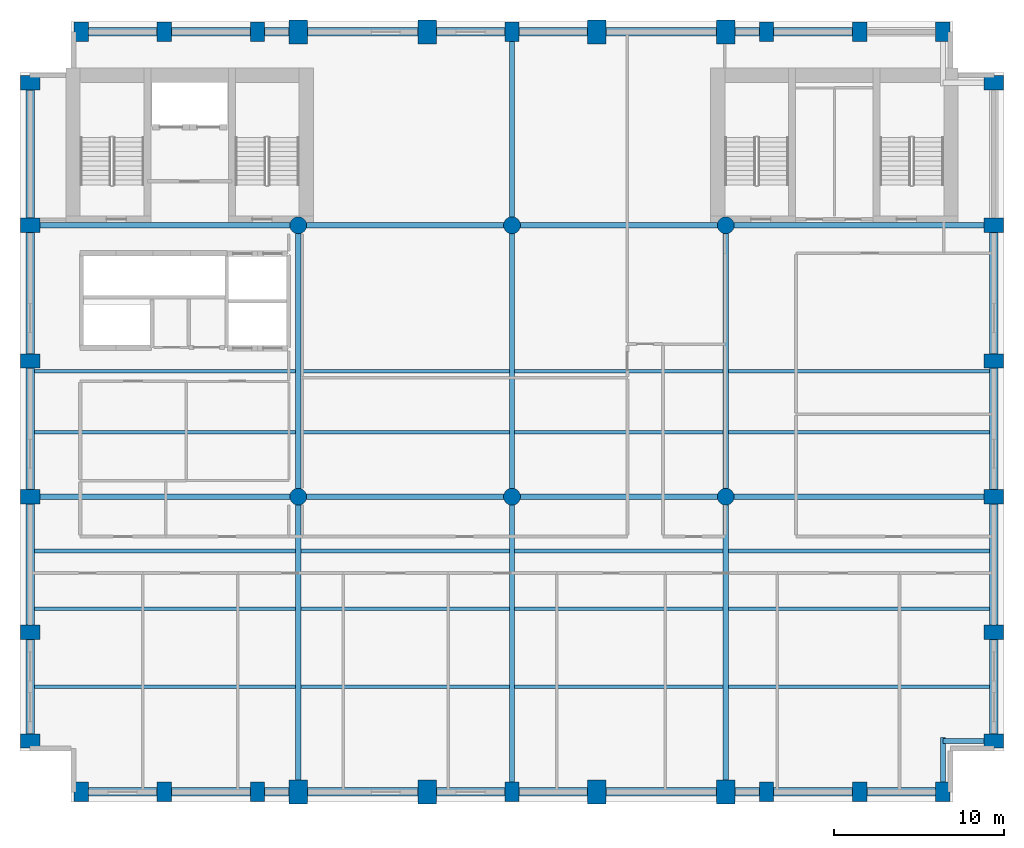
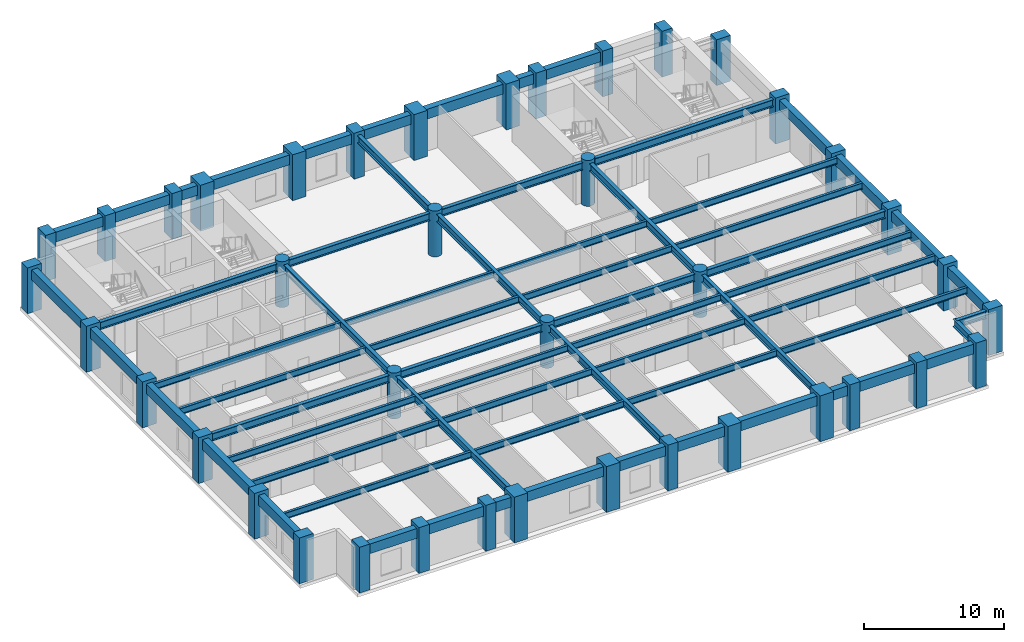
# One storey, part 1 of 8: 65 beams, 40 columns.
"""IFC4 building model written with IfcOpenShell, lengths in metres."""

from ifc_helpers import new_model, si_unit, direction, frame, origin, origin_2d, place, context, subcontext, project, spatial, rectangle, circle, i_section, extrude, material, material_profile, profile_set, type_object, element, save


model = new_model("IFC4")

# Units and contexts
model_context = context("Model", 3, precision=1e-05, world=origin(), true_north=direction((0.0, 1.0)))
body_context = subcontext(model_context, "Body", "Model", "MODEL_VIEW")
ifc_project = project(units=[si_unit("LENGTHUNIT", "METRE"), si_unit("AREAUNIT", "SQUARE_METRE"), si_unit("VOLUMEUNIT", "CUBIC_METRE"), si_unit("PLANEANGLEUNIT", "RADIAN"), si_unit("MASSUNIT", "GRAM", prefix="KILO")], contexts=[model_context])

# Site, building, storey
site_placement = place(None, origin())
site = spatial("IfcSite", under=ifc_project, at=site_placement, CompositionType="ELEMENT")
building_placement = place(site_placement, origin())
building = spatial("IfcBuilding", under=site, at=building_placement, Name="Sulina Concourse Tower", CompositionType="ELEMENT")
storey_placement = place(building_placement, frame((0.0, 0.0, 152.60009765625)))
storey = spatial("IfcBuildingStorey", under=building, at=storey_placement, Name="L37", CompositionType="ELEMENT", Elevation=152.60009765625)

# Columns
ifc_material_1 = material(Name="Concrete C60/75", Category="concrete")
ifc_material_profile_1 = material_profile(ifc_material_1, circle(Radius=0.5, at=origin_2d()), Name="RC D1000")
ifc_profile_set_1 = profile_set([ifc_material_profile_1], Name="Concrete C60/75")
column_type_1 = type_object("IfcColumnType", Name="Lower Interior Circular Column D1000", PredefinedType="COLUMN", material=ifc_profile_set_1)
for number, where, z_axis, x_axis, name in (
    (1, (16.39990234375, 18.0, 0.0), (0.0, 0.0, 1.0), (1.0, 0.0, 0.0), "L37 structural column IC-M-164"),
    (2, (16.39990234375, 34.0, 0.0), (0.0, 0.0, 1.0), (1.0, 0.0, 0.0), "L37 structural column IC-N-164"),
    (3, (29.0, 18.0, 0.0), (0.0, 0.0, 1.0), (1.0, 0.0, 0.0), "L37 structural column IC-M-290"),
    (4, (29.0, 34.0, 0.0), (0.0, 0.0, 1.0), (1.0, 0.0, 0.0), "L37 structural column IC-N-290"),
    (5, (41.60009765625, 18.0, 0.0), (0.0, 0.0, 1.0), (1.0, 0.0, 0.0), "L37 structural column IC-M-416"),
    (6, (41.60009765625, 34.0, 0.0), (0.0, 0.0, 1.0), (1.0, 0.0, 0.0), "L37 structural column IC-N-416"),
):
    element("IfcColumn", number, at=place(storey_placement, frame(where, z_axis=z_axis, x_axis=x_axis)), inside=storey, type_object=column_type_1, Name=name, PredefinedType="COLUMN", context=body_context, shape_type="SweptSolid", body=[
        extrude(circle(Radius=0.5, at=origin_2d()), origin(), (0.0, 0.0, 1.0), 4.0),
    ])
ifc_material_2 = material(Name="Concrete C60/75", Category="concrete")
ifc_material_profile_2 = material_profile(ifc_material_2, rectangle(XDim=1.10009765625, YDim=1.39990234375, at=origin_2d()), Name="RC 1100x1400")
ifc_profile_set_2 = profile_set([ifc_material_profile_2], Name="Concrete C60/75")
column_type_2 = type_object("IfcColumnType", Name="Mid-Rise Portal Column 1100x1400", PredefinedType="COLUMN", material=ifc_profile_set_2)
for number, where, z_axis, x_axis, name in (
    (7, (16.39990234375, 0.60009765625, 0.0), (0.0, 0.0, 1.0), (1.0, 0.0, 0.0), "L37 structural column TP-S-164"),
    (8, (16.39990234375, 45.39990234375, 0.0), (0.0, 0.0, 1.0), (1.0, 0.0, 0.0), "L37 structural column TP-N-164"),
    (9, (24.0, 0.60009765625, 0.0), (0.0, 0.0, 1.0), (1.0, 0.0, 0.0), "L37 structural column TP-S-240"),
    (10, (24.0, 45.39990234375, 0.0), (0.0, 0.0, 1.0), (1.0, 0.0, 0.0), "L37 structural column TP-N-240"),
    (11, (34.0, 0.60009765625, 0.0), (0.0, 0.0, 1.0), (1.0, 0.0, 0.0), "L37 structural column TP-S-340"),
    (12, (34.0, 45.39990234375, 0.0), (0.0, 0.0, 1.0), (1.0, 0.0, 0.0), "L37 structural column TP-N-340"),
    (13, (41.60009765625, 0.60009765625, 0.0), (0.0, 0.0, 1.0), (1.0, 0.0, 0.0), "L37 structural column TP-S-416"),
    (14, (41.60009765625, 45.39990234375, 0.0), (0.0, 0.0, 1.0), (1.0, 0.0, 0.0), "L37 structural column TP-N-416"),
):
    element("IfcColumn", number, at=place(storey_placement, frame(where, z_axis=z_axis, x_axis=x_axis)), inside=storey, type_object=column_type_2, Name=name, PredefinedType="COLUMN", context=body_context, shape_type="SweptSolid", body=[
        extrude(rectangle(XDim=1.10009765625, YDim=1.39990234375, at=origin_2d()), origin(), (0.0, 0.0, 1.0), 4.0),
    ])
ifc_material_3 = material(Name="Precast concrete C60/75", Category="concrete")
ifc_material_profile_3 = material_profile(ifc_material_3, rectangle(XDim=0.85009765625, YDim=1.14990234375, at=origin_2d()), Name="PC 850x1150")
ifc_profile_set_3 = profile_set([ifc_material_profile_3], Name="Precast concrete C60/75")
column_type_3 = type_object("IfcColumnType", Name="Precast Tube Pier Zone 2 850x1150", PredefinedType="COLUMN", material=ifc_profile_set_3)
for number, where, z_axis, x_axis, name in (
    (15, (3.60009765625, 0.60009765625, 0.0), (0.0, 0.0, 1.0), (1.0, 0.0, 0.0), "L37 structural column TP-S-36"),
    (16, (3.60009765625, 45.39990234375, 0.0), (0.0, 0.0, 1.0), (1.0, 0.0, 0.0), "L37 structural column TP-N-36"),
    (17, (8.5, 0.60009765625, 0.0), (0.0, 0.0, 1.0), (1.0, 0.0, 0.0), "L37 structural column TP-S-85"),
    (18, (8.5, 45.39990234375, 0.0), (0.0, 0.0, 1.0), (1.0, 0.0, 0.0), "L37 structural column TP-N-85"),
    (19, (14.0, 0.60009765625, 0.0), (0.0, 0.0, 1.0), (1.0, 0.0, 0.0), "L37 structural column TP-S-140"),
    (20, (14.0, 45.39990234375, 0.0), (0.0, 0.0, 1.0), (1.0, 0.0, 0.0), "L37 structural column TP-N-140"),
    (21, (29.0, 0.60009765625, 0.0), (0.0, 0.0, 1.0), (1.0, 0.0, 0.0), "L37 structural column TP-S-290"),
    (22, (29.0, 45.39990234375, 0.0), (0.0, 0.0, 1.0), (1.0, 0.0, 0.0), "L37 structural column TP-N-290"),
    (23, (44.0, 0.60009765625, 0.0), (0.0, 0.0, 1.0), (1.0, 0.0, 0.0), "L37 structural column TP-S-440"),
    (24, (44.0, 45.39990234375, 0.0), (0.0, 0.0, 1.0), (1.0, 0.0, 0.0), "L37 structural column TP-N-440"),
    (25, (49.5, 0.60009765625, 0.0), (0.0, 0.0, 1.0), (1.0, 0.0, 0.0), "L37 structural column TP-S-495"),
    (26, (49.5, 45.39990234375, 0.0), (0.0, 0.0, 1.0), (1.0, 0.0, 0.0), "L37 structural column TP-N-495"),
    (27, (54.39990234375, 0.60009765625, 0.0), (0.0, 0.0, 1.0), (1.0, 0.0, 0.0), "L37 structural column TP-S-544"),
    (28, (54.39990234375, 45.39990234375, 0.0), (0.0, 0.0, 1.0), (1.0, 0.0, 0.0), "L37 structural column TP-N-544"),
    (29, (0.60009765625, 3.60009765625, 0.0), (0.0, 0.0, 1.0), (0.0, 1.0, 0.0), "L37 structural column TP-W-36"),
    (30, (57.39990234375, 3.60009765625, 0.0), (0.0, 0.0, 1.0), (0.0, 1.0, 0.0), "L37 structural column TP-E-36"),
    (31, (0.60009765625, 10.0, 0.0), (0.0, 0.0, 1.0), (0.0, 1.0, 0.0), "L37 structural column TP-W-100"),
    (32, (57.39990234375, 10.0, 0.0), (0.0, 0.0, 1.0), (0.0, 1.0, 0.0), "L37 structural column TP-E-100"),
    (33, (0.60009765625, 18.0, 0.0), (0.0, 0.0, 1.0), (0.0, 1.0, 0.0), "L37 structural column TP-W-180"),
    (34, (57.39990234375, 18.0, 0.0), (0.0, 0.0, 1.0), (0.0, 1.0, 0.0), "L37 structural column TP-E-180"),
    (35, (0.60009765625, 26.0, 0.0), (0.0, 0.0, 1.0), (0.0, 1.0, 0.0), "L37 structural column TP-W-260"),
    (36, (57.39990234375, 26.0, 0.0), (0.0, 0.0, 1.0), (0.0, 1.0, 0.0), "L37 structural column TP-E-260"),
    (37, (0.60009765625, 34.0, 0.0), (0.0, 0.0, 1.0), (0.0, 1.0, 0.0), "L37 structural column TP-W-340"),
    (38, (57.39990234375, 34.0, 0.0), (0.0, 0.0, 1.0), (0.0, 1.0, 0.0), "L37 structural column TP-E-340"),
    (39, (0.60009765625, 42.39990234375, 0.0), (0.0, 0.0, 1.0), (0.0, 1.0, 0.0), "L37 structural column TP-W-424"),
    (40, (57.39990234375, 42.39990234375, 0.0), (0.0, 0.0, 1.0), (0.0, 1.0, 0.0), "L37 structural column TP-E-424"),
):
    element("IfcColumn", number, at=place(storey_placement, frame(where, z_axis=z_axis, x_axis=x_axis)), inside=storey, type_object=column_type_3, Name=name, PredefinedType="COLUMN", context=body_context, shape_type="SweptSolid", body=[
        extrude(rectangle(XDim=0.85009765625, YDim=1.14990234375, at=origin_2d()), origin(), (0.0, 0.0, 1.0), 4.0),
    ])

# Beams
ifc_material_4 = material(Name="Steel S355", Category="steel")
ifc_material_profile_4 = material_profile(ifc_material_4, i_section(OverallWidth=0.2099609375, OverallDepth=0.550048828125, WebThickness=0.010986328125, FlangeThickness=0.01708984375, at=origin_2d()), Name="IPE 550")
ifc_profile_set_4 = profile_set([ifc_material_profile_4], Name="Steel S355")
beam_type_1 = type_object("IfcBeamType", Name="Composite Floor Joist IPE550", PredefinedType="JOIST", material=ifc_profile_set_4)
beam_1_placement = place(storey_placement, frame((0.85009765625, 6.800048828125, 3.449951171875), z_axis=(1.0, 0.0, 0.0), x_axis=(0.0, 1.0, 0.0)))
element("IfcBeam", 41, at=beam_1_placement, inside=storey, type_object=beam_type_1, Name="FJ-J06-1-L37", PredefinedType="JOIST", context=body_context, shape_type="SweptSolid", body=[
    extrude(i_section(OverallWidth=0.2099609375, OverallDepth=0.550048828125, WebThickness=0.010986328125, FlangeThickness=0.01708984375, at=origin_2d()), origin(), (0.0, 0.0, 1.0), 15.39990234375),
])
for number, where, z_axis, x_axis, name in (
    (42, (16.550048828125, 6.800048828125, 3.449951171875), (1.0, 0.0, 0.0), (0.0, 1.0, 0.0), "FJ-J06-2-L37"),
    (43, (29.14990234375, 6.800048828125, 3.449951171875), (1.0, 0.0, 0.0), (0.0, 1.0, 0.0), "FJ-J06-3-L37"),
):
    element("IfcBeam", number, at=place(storey_placement, frame(where, z_axis=z_axis, x_axis=x_axis)), inside=storey, type_object=beam_type_1, Name=name, PredefinedType="JOIST", context=body_context, shape_type="SweptSolid", body=[
        extrude(i_section(OverallWidth=0.2099609375, OverallDepth=0.550048828125, WebThickness=0.010986328125, FlangeThickness=0.01708984375, at=origin_2d()), origin(), (0.0, 0.0, 1.0), 12.300048828125),
    ])
for number, where, z_axis, x_axis, name in (
    (44, (41.75, 6.800048828125, 3.449951171875), (1.0, 0.0, 0.0), (0.0, 1.0, 0.0), "FJ-J06-4-L37"),
    (45, (0.85009765625, 11.39990234375, 3.449951171875), (1.0, 0.0, 0.0), (0.0, 1.0, 0.0), "FJ-J11-1-L37"),
):
    element("IfcBeam", number, at=place(storey_placement, frame(where, z_axis=z_axis, x_axis=x_axis)), inside=storey, type_object=beam_type_1, Name=name, PredefinedType="JOIST", context=body_context, shape_type="SweptSolid", body=[
        extrude(i_section(OverallWidth=0.2099609375, OverallDepth=0.550048828125, WebThickness=0.010986328125, FlangeThickness=0.01708984375, at=origin_2d()), origin(), (0.0, 0.0, 1.0), 15.39990234375),
    ])
for number, where, z_axis, x_axis, name in (
    (46, (16.550048828125, 11.39990234375, 3.449951171875), (1.0, 0.0, 0.0), (0.0, 1.0, 0.0), "FJ-J11-2-L37"),
    (47, (29.14990234375, 11.39990234375, 3.449951171875), (1.0, 0.0, 0.0), (0.0, 1.0, 0.0), "FJ-J11-3-L37"),
):
    element("IfcBeam", number, at=place(storey_placement, frame(where, z_axis=z_axis, x_axis=x_axis)), inside=storey, type_object=beam_type_1, Name=name, PredefinedType="JOIST", context=body_context, shape_type="SweptSolid", body=[
        extrude(i_section(OverallWidth=0.2099609375, OverallDepth=0.550048828125, WebThickness=0.010986328125, FlangeThickness=0.01708984375, at=origin_2d()), origin(), (0.0, 0.0, 1.0), 12.300048828125),
    ])
for number, where, z_axis, x_axis, name in (
    (48, (41.75, 11.39990234375, 3.449951171875), (1.0, 0.0, 0.0), (0.0, 1.0, 0.0), "FJ-J11-4-L37"),
    (49, (0.85009765625, 14.800048828125, 3.449951171875), (1.0, 0.0, 0.0), (0.0, 1.0, 0.0), "FJ-J15-1-L37"),
):
    element("IfcBeam", number, at=place(storey_placement, frame(where, z_axis=z_axis, x_axis=x_axis)), inside=storey, type_object=beam_type_1, Name=name, PredefinedType="JOIST", context=body_context, shape_type="SweptSolid", body=[
        extrude(i_section(OverallWidth=0.2099609375, OverallDepth=0.550048828125, WebThickness=0.010986328125, FlangeThickness=0.01708984375, at=origin_2d()), origin(), (0.0, 0.0, 1.0), 15.39990234375),
    ])
for number, where, z_axis, x_axis, name in (
    (50, (16.550048828125, 14.800048828125, 3.449951171875), (1.0, 0.0, 0.0), (0.0, 1.0, 0.0), "FJ-J15-2-L37"),
    (51, (29.14990234375, 14.800048828125, 3.449951171875), (1.0, 0.0, 0.0), (0.0, 1.0, 0.0), "FJ-J15-3-L37"),
):
    element("IfcBeam", number, at=place(storey_placement, frame(where, z_axis=z_axis, x_axis=x_axis)), inside=storey, type_object=beam_type_1, Name=name, PredefinedType="JOIST", context=body_context, shape_type="SweptSolid", body=[
        extrude(i_section(OverallWidth=0.2099609375, OverallDepth=0.550048828125, WebThickness=0.010986328125, FlangeThickness=0.01708984375, at=origin_2d()), origin(), (0.0, 0.0, 1.0), 12.300048828125),
    ])
for number, where, z_axis, x_axis, name in (
    (52, (41.75, 14.800048828125, 3.449951171875), (1.0, 0.0, 0.0), (0.0, 1.0, 0.0), "FJ-J15-4-L37"),
    (53, (0.85009765625, 21.800048828125, 3.449951171875), (1.0, 0.0, 0.0), (0.0, 1.0, 0.0), "FJ-J22-1-L37"),
):
    element("IfcBeam", number, at=place(storey_placement, frame(where, z_axis=z_axis, x_axis=x_axis)), inside=storey, type_object=beam_type_1, Name=name, PredefinedType="JOIST", context=body_context, shape_type="SweptSolid", body=[
        extrude(i_section(OverallWidth=0.2099609375, OverallDepth=0.550048828125, WebThickness=0.010986328125, FlangeThickness=0.01708984375, at=origin_2d()), origin(), (0.0, 0.0, 1.0), 15.39990234375),
    ])
for number, where, z_axis, x_axis, name in (
    (54, (16.550048828125, 21.800048828125, 3.449951171875), (1.0, 0.0, 0.0), (0.0, 1.0, 0.0), "FJ-J22-2-L37"),
    (55, (29.14990234375, 21.800048828125, 3.449951171875), (1.0, 0.0, 0.0), (0.0, 1.0, 0.0), "FJ-J22-3-L37"),
):
    element("IfcBeam", number, at=place(storey_placement, frame(where, z_axis=z_axis, x_axis=x_axis)), inside=storey, type_object=beam_type_1, Name=name, PredefinedType="JOIST", context=body_context, shape_type="SweptSolid", body=[
        extrude(i_section(OverallWidth=0.2099609375, OverallDepth=0.550048828125, WebThickness=0.010986328125, FlangeThickness=0.01708984375, at=origin_2d()), origin(), (0.0, 0.0, 1.0), 12.300048828125),
    ])
for number, where, z_axis, x_axis, name in (
    (56, (41.75, 21.800048828125, 3.449951171875), (1.0, 0.0, 0.0), (0.0, 1.0, 0.0), "FJ-J22-4-L37"),
    (57, (0.85009765625, 25.39990234375, 3.449951171875), (1.0, 0.0, 0.0), (0.0, 1.0, 0.0), "FJ-J25-1-L37"),
):
    element("IfcBeam", number, at=place(storey_placement, frame(where, z_axis=z_axis, x_axis=x_axis)), inside=storey, type_object=beam_type_1, Name=name, PredefinedType="JOIST", context=body_context, shape_type="SweptSolid", body=[
        extrude(i_section(OverallWidth=0.2099609375, OverallDepth=0.550048828125, WebThickness=0.010986328125, FlangeThickness=0.01708984375, at=origin_2d()), origin(), (0.0, 0.0, 1.0), 15.39990234375),
    ])
for number, where, z_axis, x_axis, name in (
    (58, (16.550048828125, 25.39990234375, 3.449951171875), (1.0, 0.0, 0.0), (0.0, 1.0, 0.0), "FJ-J25-2-L37"),
    (59, (29.14990234375, 25.39990234375, 3.449951171875), (1.0, 0.0, 0.0), (0.0, 1.0, 0.0), "FJ-J25-3-L37"),
):
    element("IfcBeam", number, at=place(storey_placement, frame(where, z_axis=z_axis, x_axis=x_axis)), inside=storey, type_object=beam_type_1, Name=name, PredefinedType="JOIST", context=body_context, shape_type="SweptSolid", body=[
        extrude(i_section(OverallWidth=0.2099609375, OverallDepth=0.550048828125, WebThickness=0.010986328125, FlangeThickness=0.01708984375, at=origin_2d()), origin(), (0.0, 0.0, 1.0), 12.300048828125),
    ])
beam_2_placement = place(storey_placement, frame((41.75, 25.39990234375, 3.449951171875), z_axis=(1.0, 0.0, 0.0), x_axis=(0.0, 1.0, 0.0)))
element("IfcBeam", 60, at=beam_2_placement, inside=storey, type_object=beam_type_1, Name="FJ-J25-4-L37", PredefinedType="JOIST", context=body_context, shape_type="SweptSolid", body=[
    extrude(i_section(OverallWidth=0.2099609375, OverallDepth=0.550048828125, WebThickness=0.010986328125, FlangeThickness=0.01708984375, at=origin_2d()), origin(), (0.0, 0.0, 1.0), 15.39990234375),
])
ifc_material_5 = material(Name="Steel S355", Category="steel")
ifc_material_profile_5 = material_profile(ifc_material_5, i_section(OverallWidth=0.300048828125, OverallDepth=0.64990234375, WebThickness=0.01611328125, FlangeThickness=0.031005859375, at=origin_2d()), Name="HE 650 B")
ifc_profile_set_5 = profile_set([ifc_material_profile_5], Name="Steel S355")
beam_type_2 = type_object("IfcBeamType", Name="Floor Primary Girder Zone 2 HE650B", PredefinedType="BEAM", material=ifc_profile_set_5)
beam_3_placement = place(storey_placement, frame((54.39990234375, 3.60009765625, 3.39990234375), z_axis=(1.0, 0.0, 0.0), x_axis=(0.0, 1.0, 0.0)))
element("IfcBeam", 61, at=beam_3_placement, inside=storey, type_object=beam_type_2, Name="TIE-SE-L37", PredefinedType="BEAM", context=body_context, shape_type="SweptSolid", body=[
    extrude(i_section(OverallWidth=0.300048828125, OverallDepth=0.64990234375, WebThickness=0.01611328125, FlangeThickness=0.031005859375, at=origin_2d()), origin(), (0.0, 0.0, 1.0), 2.59521484375),
])
beam_4_placement = place(storey_placement, frame((54.39990234375, 1.0048828125, 3.39990234375), z_axis=(0.0, 1.0, 0.0), x_axis=(-1.0, 0.0, 0.0)))
element("IfcBeam", 62, at=beam_4_placement, inside=storey, type_object=beam_type_2, Name="TIE-SES-L37", PredefinedType="BEAM", context=body_context, shape_type="SweptSolid", body=[
    extrude(i_section(OverallWidth=0.300048828125, OverallDepth=0.64990234375, WebThickness=0.01611328125, FlangeThickness=0.031005859375, at=origin_2d()), origin(), (0.0, 0.0, 1.0), 2.795166015625),
])
beam_5_placement = place(storey_placement, frame((1.0048828125, 18.0, 3.39990234375), z_axis=(1.0, 0.0, 0.0), x_axis=(0.0, 1.0, 0.0)))
element("IfcBeam", 63, at=beam_5_placement, inside=storey, type_object=beam_type_2, Name="FG-EW1-L37", PredefinedType="BEAM", context=body_context, shape_type="SweptSolid", body=[
    extrude(i_section(OverallWidth=0.300048828125, OverallDepth=0.64990234375, WebThickness=0.01611328125, FlangeThickness=0.031005859375, at=origin_2d()), origin(), (0.0, 0.0, 1.0), 14.9150390625),
])
for number, where, z_axis, x_axis, name in (
    (64, (16.8798828125, 18.0, 3.39990234375), (1.0, 0.0, 0.0), (0.0, 1.0, 0.0), "FG-EW2-L37"),
    (65, (29.47998046875, 18.0, 3.39990234375), (1.0, 0.0, 0.0), (0.0, 1.0, 0.0), "FG-EW3-L37"),
):
    element("IfcBeam", number, at=place(storey_placement, frame(where, z_axis=z_axis, x_axis=x_axis)), inside=storey, type_object=beam_type_2, Name=name, PredefinedType="BEAM", context=body_context, shape_type="SweptSolid", body=[
        extrude(i_section(OverallWidth=0.300048828125, OverallDepth=0.64990234375, WebThickness=0.01611328125, FlangeThickness=0.031005859375, at=origin_2d()), origin(), (0.0, 0.0, 1.0), 11.64013671875),
    ])
for number, where, z_axis, x_axis, name in (
    (66, (42.080078125, 18.0, 3.39990234375), (1.0, 0.0, 0.0), (0.0, 1.0, 0.0), "FG-EW4-L37"),
    (67, (1.0048828125, 34.0, 3.39990234375), (1.0, 0.0, 0.0), (0.0, 1.0, 0.0), "FG-EWN1-L37"),
):
    element("IfcBeam", number, at=place(storey_placement, frame(where, z_axis=z_axis, x_axis=x_axis)), inside=storey, type_object=beam_type_2, Name=name, PredefinedType="BEAM", context=body_context, shape_type="SweptSolid", body=[
        extrude(i_section(OverallWidth=0.300048828125, OverallDepth=0.64990234375, WebThickness=0.01611328125, FlangeThickness=0.031005859375, at=origin_2d()), origin(), (0.0, 0.0, 1.0), 14.9150390625),
    ])
for number, where, z_axis, x_axis, name in (
    (68, (16.8798828125, 34.0, 3.39990234375), (1.0, 0.0, 0.0), (0.0, 1.0, 0.0), "FG-EWN2-L37"),
    (69, (29.47998046875, 34.0, 3.39990234375), (1.0, 0.0, 0.0), (0.0, 1.0, 0.0), "FG-EWN3-L37"),
):
    element("IfcBeam", number, at=place(storey_placement, frame(where, z_axis=z_axis, x_axis=x_axis)), inside=storey, type_object=beam_type_2, Name=name, PredefinedType="BEAM", context=body_context, shape_type="SweptSolid", body=[
        extrude(i_section(OverallWidth=0.300048828125, OverallDepth=0.64990234375, WebThickness=0.01611328125, FlangeThickness=0.031005859375, at=origin_2d()), origin(), (0.0, 0.0, 1.0), 11.64013671875),
    ])
beam_6_placement = place(storey_placement, frame((42.080078125, 34.0, 3.39990234375), z_axis=(1.0, 0.0, 0.0), x_axis=(0.0, 1.0, 0.0)))
element("IfcBeam", 70, at=beam_6_placement, inside=storey, type_object=beam_type_2, Name="FG-EWN4-L37", PredefinedType="BEAM", context=body_context, shape_type="SweptSolid", body=[
    extrude(i_section(OverallWidth=0.300048828125, OverallDepth=0.64990234375, WebThickness=0.01611328125, FlangeThickness=0.031005859375, at=origin_2d()), origin(), (0.0, 0.0, 1.0), 14.9150390625),
])
beam_7_placement = place(storey_placement, frame((16.39990234375, 1.1298828125, 3.39990234375), z_axis=(0.0, 1.0, 0.0), x_axis=(-1.0, 0.0, 0.0)))
element("IfcBeam", 71, at=beam_7_placement, inside=storey, type_object=beam_type_2, Name="FG-NSA-16-L37", PredefinedType="BEAM", context=body_context, shape_type="SweptSolid", body=[
    extrude(i_section(OverallWidth=0.300048828125, OverallDepth=0.64990234375, WebThickness=0.01611328125, FlangeThickness=0.031005859375, at=origin_2d()), origin(), (0.0, 0.0, 1.0), 16.39013671875),
])
beam_8_placement = place(storey_placement, frame((16.39990234375, 18.47998046875, 3.39990234375), z_axis=(0.0, 1.0, 0.0), x_axis=(-1.0, 0.0, 0.0)))
element("IfcBeam", 72, at=beam_8_placement, inside=storey, type_object=beam_type_2, Name="FG-NSB-16-L37", PredefinedType="BEAM", context=body_context, shape_type="SweptSolid", body=[
    extrude(i_section(OverallWidth=0.300048828125, OverallDepth=0.64990234375, WebThickness=0.01611328125, FlangeThickness=0.031005859375, at=origin_2d()), origin(), (0.0, 0.0, 1.0), 15.0400390625),
])
beam_9_placement = place(storey_placement, frame((29.0, 1.0048828125, 3.39990234375), z_axis=(0.0, 1.0, 0.0), x_axis=(-1.0, 0.0, 0.0)))
element("IfcBeam", 73, at=beam_9_placement, inside=storey, type_object=beam_type_2, Name="FG-NSA-29-L37", PredefinedType="BEAM", context=body_context, shape_type="SweptSolid", body=[
    extrude(i_section(OverallWidth=0.300048828125, OverallDepth=0.64990234375, WebThickness=0.01611328125, FlangeThickness=0.031005859375, at=origin_2d()), origin(), (0.0, 0.0, 1.0), 16.51513671875),
])
beam_10_placement = place(storey_placement, frame((29.0, 18.47998046875, 3.39990234375), z_axis=(0.0, 1.0, 0.0), x_axis=(-1.0, 0.0, 0.0)))
element("IfcBeam", 74, at=beam_10_placement, inside=storey, type_object=beam_type_2, Name="FG-NSB-29-L37", PredefinedType="BEAM", context=body_context, shape_type="SweptSolid", body=[
    extrude(i_section(OverallWidth=0.300048828125, OverallDepth=0.64990234375, WebThickness=0.01611328125, FlangeThickness=0.031005859375, at=origin_2d()), origin(), (0.0, 0.0, 1.0), 15.0400390625),
])
beam_11_placement = place(storey_placement, frame((29.0, 34.47998046875, 3.39990234375), z_axis=(0.0, 1.0, 0.0), x_axis=(-1.0, 0.0, 0.0)))
element("IfcBeam", 75, at=beam_11_placement, inside=storey, type_object=beam_type_2, Name="FG-NSC-29-L37", PredefinedType="BEAM", context=body_context, shape_type="SweptSolid", body=[
    extrude(i_section(OverallWidth=0.300048828125, OverallDepth=0.64990234375, WebThickness=0.01611328125, FlangeThickness=0.031005859375, at=origin_2d()), origin(), (0.0, 0.0, 1.0), 10.51513671875),
])
beam_12_placement = place(storey_placement, frame((41.60009765625, 1.1298828125, 3.39990234375), z_axis=(0.0, 1.0, 0.0), x_axis=(-1.0, 0.0, 0.0)))
element("IfcBeam", 76, at=beam_12_placement, inside=storey, type_object=beam_type_2, Name="FG-NSA-41-L37", PredefinedType="BEAM", context=body_context, shape_type="SweptSolid", body=[
    extrude(i_section(OverallWidth=0.300048828125, OverallDepth=0.64990234375, WebThickness=0.01611328125, FlangeThickness=0.031005859375, at=origin_2d()), origin(), (0.0, 0.0, 1.0), 16.39013671875),
])
beam_13_placement = place(storey_placement, frame((41.60009765625, 18.47998046875, 3.39990234375), z_axis=(0.0, 1.0, 0.0), x_axis=(-1.0, 0.0, 0.0)))
element("IfcBeam", 77, at=beam_13_placement, inside=storey, type_object=beam_type_2, Name="FG-NSB-41-L37", PredefinedType="BEAM", context=body_context, shape_type="SweptSolid", body=[
    extrude(i_section(OverallWidth=0.300048828125, OverallDepth=0.64990234375, WebThickness=0.01611328125, FlangeThickness=0.031005859375, at=origin_2d()), origin(), (0.0, 0.0, 1.0), 15.0400390625),
])
ifc_material_6 = material(Name="Precast concrete C50/60", Category="concrete")
ifc_material_profile_6 = material_profile(ifc_material_6, rectangle(XDim=0.5, YDim=0.85009765625, at=origin_2d()), Name="RC 500x850")
ifc_profile_set_6 = profile_set([ifc_material_profile_6], Name="Precast concrete C50/60")
beam_type_3 = type_object("IfcBeamType", Name="Lower Precast Spandrel Edge Beam 500x850", PredefinedType="BEAM", material=ifc_profile_set_6)
beam_14_placement = place(storey_placement, frame((4.0048828125, 0.60009765625, 3.2998046875), z_axis=(1.0, 0.0, 0.0), x_axis=(0.0, 1.0, 0.0)))
element("IfcBeam", 78, at=beam_14_placement, inside=storey, type_object=beam_type_3, Name="SP-S1-L37", PredefinedType="BEAM", context=body_context, shape_type="SweptSolid", body=[
    extrude(rectangle(XDim=0.5, YDim=0.85009765625, at=origin_2d()), origin(), (0.0, 0.0, 1.0), 4.090087890625),
])
beam_15_placement = place(storey_placement, frame((8.905029296875, 0.60009765625, 3.2998046875), z_axis=(1.0, 0.0, 0.0), x_axis=(0.0, 1.0, 0.0)))
element("IfcBeam", 79, at=beam_15_placement, inside=storey, type_object=beam_type_3, Name="SP-S2-L37", PredefinedType="BEAM", context=body_context, shape_type="SweptSolid", body=[
    extrude(rectangle(XDim=0.5, YDim=0.85009765625, at=origin_2d()), origin(), (0.0, 0.0, 1.0), 4.68994140625),
])
beam_16_placement = place(storey_placement, frame((14.405029296875, 0.60009765625, 3.2998046875), z_axis=(1.0, 0.0, 0.0), x_axis=(0.0, 1.0, 0.0)))
element("IfcBeam", 80, at=beam_16_placement, inside=storey, type_object=beam_type_3, Name="SP-S3-L37", PredefinedType="BEAM", context=body_context, shape_type="SweptSolid", body=[
    extrude(rectangle(XDim=0.5, YDim=0.85009765625, at=origin_2d()), origin(), (0.0, 0.0, 1.0), 1.465087890625),
])
beam_17_placement = place(storey_placement, frame((16.929931640625, 0.60009765625, 3.2998046875), z_axis=(1.0, 0.0, 0.0), x_axis=(0.0, 1.0, 0.0)))
element("IfcBeam", 81, at=beam_17_placement, inside=storey, type_object=beam_type_3, Name="SP-S4-L37", PredefinedType="BEAM", context=body_context, shape_type="SweptSolid", body=[
    extrude(rectangle(XDim=0.5, YDim=0.85009765625, at=origin_2d()), origin(), (0.0, 0.0, 1.0), 6.5400390625),
])
for number, where, z_axis, x_axis, name in (
    (82, (24.530029296875, 0.60009765625, 3.2998046875), (1.0, 0.0, 0.0), (0.0, 1.0, 0.0), "SP-S5-L37"),
    (83, (29.405029296875, 0.60009765625, 3.2998046875), (1.0, 0.0, 0.0), (0.0, 1.0, 0.0), "SP-S6-L37"),
):
    element("IfcBeam", number, at=place(storey_placement, frame(where, z_axis=z_axis, x_axis=x_axis)), inside=storey, type_object=beam_type_3, Name=name, PredefinedType="BEAM", context=body_context, shape_type="SweptSolid", body=[
        extrude(rectangle(XDim=0.5, YDim=0.85009765625, at=origin_2d()), origin(), (0.0, 0.0, 1.0), 4.06494140625),
    ])
beam_18_placement = place(storey_placement, frame((34.530029296875, 0.60009765625, 3.2998046875), z_axis=(1.0, 0.0, 0.0), x_axis=(0.0, 1.0, 0.0)))
element("IfcBeam", 84, at=beam_18_placement, inside=storey, type_object=beam_type_3, Name="SP-S7-L37", PredefinedType="BEAM", context=body_context, shape_type="SweptSolid", body=[
    extrude(rectangle(XDim=0.5, YDim=0.85009765625, at=origin_2d()), origin(), (0.0, 0.0, 1.0), 6.5400390625),
])
beam_19_placement = place(storey_placement, frame((42.1298828125, 0.60009765625, 3.2998046875), z_axis=(1.0, 0.0, 0.0), x_axis=(0.0, 1.0, 0.0)))
element("IfcBeam", 85, at=beam_19_placement, inside=storey, type_object=beam_type_3, Name="SP-S8-L37", PredefinedType="BEAM", context=body_context, shape_type="SweptSolid", body=[
    extrude(rectangle(XDim=0.5, YDim=0.85009765625, at=origin_2d()), origin(), (0.0, 0.0, 1.0), 1.465087890625),
])
beam_20_placement = place(storey_placement, frame((44.405029296875, 0.60009765625, 3.2998046875), z_axis=(1.0, 0.0, 0.0), x_axis=(0.0, 1.0, 0.0)))
element("IfcBeam", 86, at=beam_20_placement, inside=storey, type_object=beam_type_3, Name="SP-S9-L37", PredefinedType="BEAM", context=body_context, shape_type="SweptSolid", body=[
    extrude(rectangle(XDim=0.5, YDim=0.85009765625, at=origin_2d()), origin(), (0.0, 0.0, 1.0), 4.68994140625),
])
for number, where, z_axis, x_axis, name in (
    (87, (49.905029296875, 0.60009765625, 3.2998046875), (1.0, 0.0, 0.0), (0.0, 1.0, 0.0), "SP-S10-L37"),
    (88, (4.0048828125, 45.39990234375, 3.2998046875), (1.0, 0.0, 0.0), (0.0, 1.0, 0.0), "SP-N1-L37"),
):
    element("IfcBeam", number, at=place(storey_placement, frame(where, z_axis=z_axis, x_axis=x_axis)), inside=storey, type_object=beam_type_3, Name=name, PredefinedType="BEAM", context=body_context, shape_type="SweptSolid", body=[
        extrude(rectangle(XDim=0.5, YDim=0.85009765625, at=origin_2d()), origin(), (0.0, 0.0, 1.0), 4.090087890625),
    ])
beam_21_placement = place(storey_placement, frame((8.905029296875, 45.39990234375, 3.2998046875), z_axis=(1.0, 0.0, 0.0), x_axis=(0.0, 1.0, 0.0)))
element("IfcBeam", 89, at=beam_21_placement, inside=storey, type_object=beam_type_3, Name="SP-N2-L37", PredefinedType="BEAM", context=body_context, shape_type="SweptSolid", body=[
    extrude(rectangle(XDim=0.5, YDim=0.85009765625, at=origin_2d()), origin(), (0.0, 0.0, 1.0), 4.68994140625),
])
beam_22_placement = place(storey_placement, frame((14.405029296875, 45.39990234375, 3.2998046875), z_axis=(1.0, 0.0, 0.0), x_axis=(0.0, 1.0, 0.0)))
element("IfcBeam", 90, at=beam_22_placement, inside=storey, type_object=beam_type_3, Name="SP-N3-L37", PredefinedType="BEAM", context=body_context, shape_type="SweptSolid", body=[
    extrude(rectangle(XDim=0.5, YDim=0.85009765625, at=origin_2d()), origin(), (0.0, 0.0, 1.0), 1.465087890625),
])
beam_23_placement = place(storey_placement, frame((16.929931640625, 45.39990234375, 3.2998046875), z_axis=(1.0, 0.0, 0.0), x_axis=(0.0, 1.0, 0.0)))
element("IfcBeam", 91, at=beam_23_placement, inside=storey, type_object=beam_type_3, Name="SP-N4-L37", PredefinedType="BEAM", context=body_context, shape_type="SweptSolid", body=[
    extrude(rectangle(XDim=0.5, YDim=0.85009765625, at=origin_2d()), origin(), (0.0, 0.0, 1.0), 6.5400390625),
])
for number, where, z_axis, x_axis, name in (
    (92, (24.530029296875, 45.39990234375, 3.2998046875), (1.0, 0.0, 0.0), (0.0, 1.0, 0.0), "SP-N5-L37"),
    (93, (29.405029296875, 45.39990234375, 3.2998046875), (1.0, 0.0, 0.0), (0.0, 1.0, 0.0), "SP-N6-L37"),
):
    element("IfcBeam", number, at=place(storey_placement, frame(where, z_axis=z_axis, x_axis=x_axis)), inside=storey, type_object=beam_type_3, Name=name, PredefinedType="BEAM", context=body_context, shape_type="SweptSolid", body=[
        extrude(rectangle(XDim=0.5, YDim=0.85009765625, at=origin_2d()), origin(), (0.0, 0.0, 1.0), 4.06494140625),
    ])
beam_24_placement = place(storey_placement, frame((34.530029296875, 45.39990234375, 3.2998046875), z_axis=(1.0, 0.0, 0.0), x_axis=(0.0, 1.0, 0.0)))
element("IfcBeam", 94, at=beam_24_placement, inside=storey, type_object=beam_type_3, Name="SP-N7-L37", PredefinedType="BEAM", context=body_context, shape_type="SweptSolid", body=[
    extrude(rectangle(XDim=0.5, YDim=0.85009765625, at=origin_2d()), origin(), (0.0, 0.0, 1.0), 6.5400390625),
])
beam_25_placement = place(storey_placement, frame((42.1298828125, 45.39990234375, 3.2998046875), z_axis=(1.0, 0.0, 0.0), x_axis=(0.0, 1.0, 0.0)))
element("IfcBeam", 95, at=beam_25_placement, inside=storey, type_object=beam_type_3, Name="SP-N8-L37", PredefinedType="BEAM", context=body_context, shape_type="SweptSolid", body=[
    extrude(rectangle(XDim=0.5, YDim=0.85009765625, at=origin_2d()), origin(), (0.0, 0.0, 1.0), 1.465087890625),
])
beam_26_placement = place(storey_placement, frame((44.405029296875, 45.39990234375, 3.2998046875), z_axis=(1.0, 0.0, 0.0), x_axis=(0.0, 1.0, 0.0)))
element("IfcBeam", 96, at=beam_26_placement, inside=storey, type_object=beam_type_3, Name="SP-N9-L37", PredefinedType="BEAM", context=body_context, shape_type="SweptSolid", body=[
    extrude(rectangle(XDim=0.5, YDim=0.85009765625, at=origin_2d()), origin(), (0.0, 0.0, 1.0), 4.68994140625),
])
beam_27_placement = place(storey_placement, frame((0.60009765625, 4.0048828125, 3.2998046875), z_axis=(0.0, 1.0, 0.0), x_axis=(-1.0, 0.0, 0.0)))
element("IfcBeam", 97, at=beam_27_placement, inside=storey, type_object=beam_type_3, Name="SP-W1-L37", PredefinedType="BEAM", context=body_context, shape_type="SweptSolid", body=[
    extrude(rectangle(XDim=0.5, YDim=0.85009765625, at=origin_2d()), origin(), (0.0, 0.0, 1.0), 5.590087890625),
])
for number, where, z_axis, x_axis, name in (
    (98, (0.60009765625, 10.405029296875, 3.2998046875), (0.0, 1.0, 0.0), (-1.0, 0.0, 0.0), "SP-W2-L37"),
    (99, (0.60009765625, 18.405029296875, 3.2998046875), (0.0, 1.0, 0.0), (-1.0, 0.0, 0.0), "SP-W3-L37"),
    (100, (0.60009765625, 26.405029296875, 3.2998046875), (0.0, 1.0, 0.0), (-1.0, 0.0, 0.0), "SP-W4-L37"),
):
    element("IfcBeam", number, at=place(storey_placement, frame(where, z_axis=z_axis, x_axis=x_axis)), inside=storey, type_object=beam_type_3, Name=name, PredefinedType="BEAM", context=body_context, shape_type="SweptSolid", body=[
        extrude(rectangle(XDim=0.5, YDim=0.85009765625, at=origin_2d()), origin(), (0.0, 0.0, 1.0), 7.18994140625),
    ])
beam_28_placement = place(storey_placement, frame((0.60009765625, 34.405029296875, 3.2998046875), z_axis=(0.0, 1.0, 0.0), x_axis=(-1.0, 0.0, 0.0)))
element("IfcBeam", 101, at=beam_28_placement, inside=storey, type_object=beam_type_3, Name="SP-W5-L37", PredefinedType="BEAM", context=body_context, shape_type="SweptSolid", body=[
    extrude(rectangle(XDim=0.5, YDim=0.85009765625, at=origin_2d()), origin(), (0.0, 0.0, 1.0), 7.590087890625),
])
beam_29_placement = place(storey_placement, frame((57.39990234375, 4.0048828125, 3.2998046875), z_axis=(0.0, 1.0, 0.0), x_axis=(-1.0, 0.0, 0.0)))
element("IfcBeam", 102, at=beam_29_placement, inside=storey, type_object=beam_type_3, Name="SP-E1-L37", PredefinedType="BEAM", context=body_context, shape_type="SweptSolid", body=[
    extrude(rectangle(XDim=0.5, YDim=0.85009765625, at=origin_2d()), origin(), (0.0, 0.0, 1.0), 5.590087890625),
])
for number, where, z_axis, x_axis, name in (
    (103, (57.39990234375, 10.405029296875, 3.2998046875), (0.0, 1.0, 0.0), (-1.0, 0.0, 0.0), "SP-E2-L37"),
    (104, (57.39990234375, 18.405029296875, 3.2998046875), (0.0, 1.0, 0.0), (-1.0, 0.0, 0.0), "SP-E3-L37"),
    (105, (57.39990234375, 26.405029296875, 3.2998046875), (0.0, 1.0, 0.0), (-1.0, 0.0, 0.0), "SP-E4-L37"),
):
    element("IfcBeam", number, at=place(storey_placement, frame(where, z_axis=z_axis, x_axis=x_axis)), inside=storey, type_object=beam_type_3, Name=name, PredefinedType="BEAM", context=body_context, shape_type="SweptSolid", body=[
        extrude(rectangle(XDim=0.5, YDim=0.85009765625, at=origin_2d()), origin(), (0.0, 0.0, 1.0), 7.18994140625),
    ])

save(model, "model.ifc")
